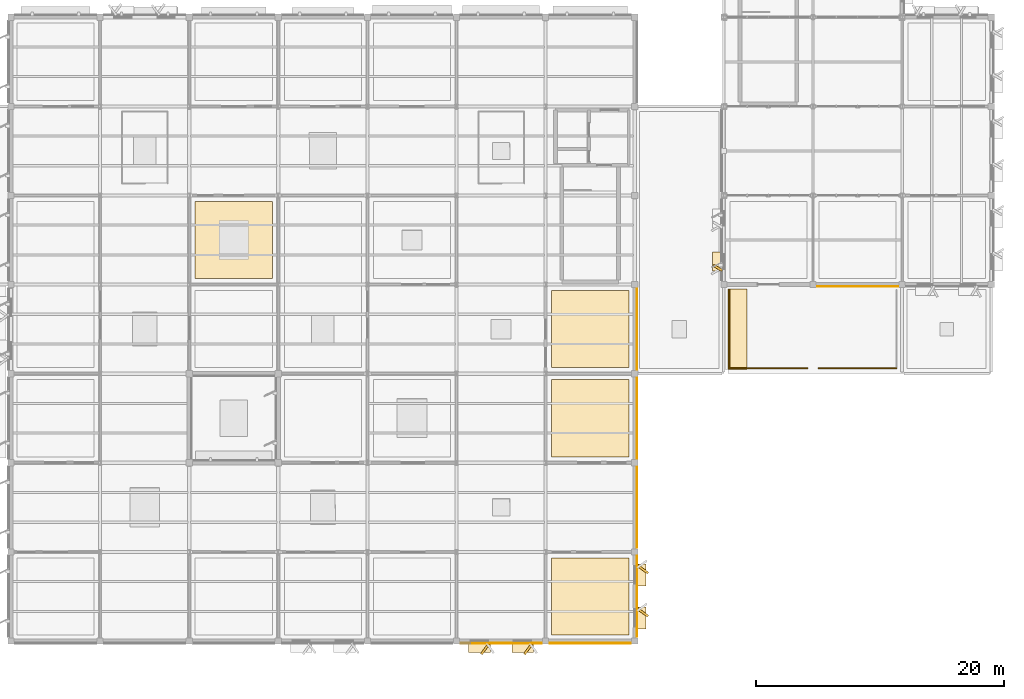
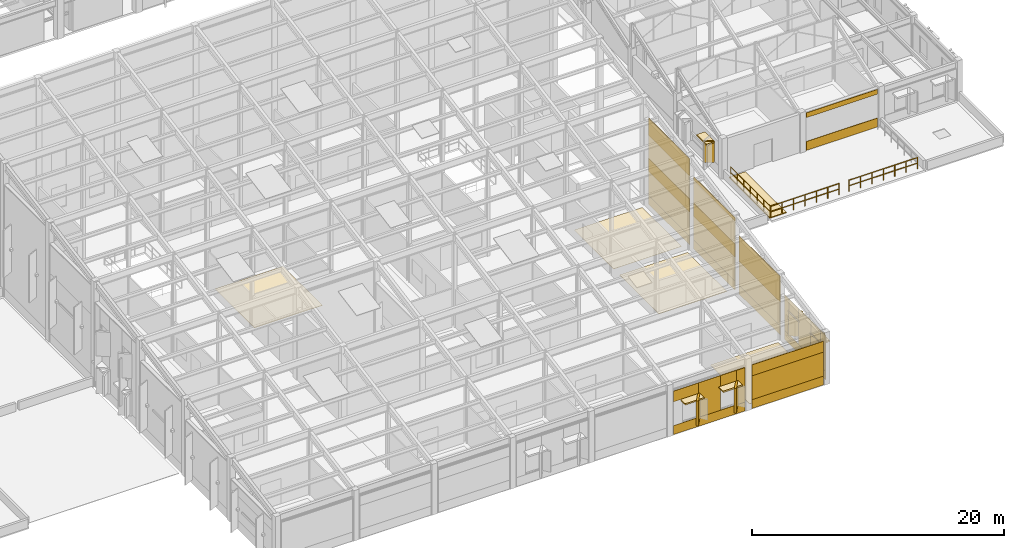
# One storey, part 74 of 82: 40 coverings, 3 railings.
"""IFC4 building model written with IfcOpenShell, lengths in metres."""

from ifc_helpers import new_model, si_unit, direction, frame, frame_2d, origin, origin_2d, place, context, subcontext, project, spatial, polyline, rectangle, circle, outline, extrude, material, layer, layer_set, type_object, element, save


model = new_model("IFC4")

# Units and contexts
model_context = context("Model", 3, precision=1e-05, world=origin(), true_north=direction((0.0, 1.0)))
body_context = subcontext(model_context, "Body", "Model", "MODEL_VIEW")
ifc_project = project(units=[si_unit("LENGTHUNIT", "METRE"), si_unit("AREAUNIT", "SQUARE_METRE"), si_unit("VOLUMEUNIT", "CUBIC_METRE"), si_unit("PLANEANGLEUNIT", "RADIAN"), si_unit("MASSUNIT", "GRAM", prefix="KILO")], contexts=[model_context])

# Site, building, storey
site_placement = place(None, origin())
site = spatial("IfcSite", under=ifc_project, at=site_placement, CompositionType="ELEMENT")
building_placement = place(site_placement, origin())
building = spatial("IfcBuilding", under=site, at=building_placement, Name="Sillqori Civic Hall", CompositionType="ELEMENT")
storey_placement = place(building_placement, frame((0.0, 0.0, 14.10009765625)))
storey = spatial("IfcBuildingStorey", under=building, at=storey_placement, Name="L04", CompositionType="ELEMENT", Elevation=14.10009765625)

# Coverings
ifc_material_1 = material(Name="Cochabamba Honed Limestone Cladding", Category="masonry")
ifc_layer_1 = layer(ifc_material_1, 0.044921875)
ifc_layer_set_1 = layer_set([ifc_layer_1], Name="Cochabamba Honed Limestone Cladding")
covering_type_1 = type_object("IfcCoveringType", Name="COV-CLAD-LIME", PredefinedType="CLADDING", material=ifc_layer_set_1)
covering_1_placement = place(storey_placement, frame((107.669921875, 7.02001953125, 0.039794921875), z_axis=(0.0, 0.0, 1.0), x_axis=(-1.0, 0.0, 0.0)))
element("IfcCovering", 1, at=covering_1_placement, inside=storey, type_object=covering_type_1, Name="L04 limestone spandrel cladding L04-14-01-S", PredefinedType="CLADDING", context=body_context, shape_type="SweptSolid", body=[
    extrude(rectangle(XDim=6.5400390625, YDim=0.044921875, at=frame_2d((3.27001953125, 0.0))), origin(), (0.0, 0.0, 1.0), 0.860107421875),
])
covering_2_placement = place(storey_placement, frame((107.669921875, 7.02001953125, 3.219970703125), z_axis=(0.0, 0.0, 1.0), x_axis=(-1.0, 0.0, 0.0)))
element("IfcCovering", 2, at=covering_2_placement, inside=storey, type_object=covering_type_1, Name="L04 limestone frieze cladding L04-14-01-S", PredefinedType="CLADDING", context=body_context, shape_type="SweptSolid", body=[
    extrude(rectangle(XDim=6.5400390625, YDim=0.044921875, at=frame_2d((3.27001953125, 0.0))), origin(), (0.0, 0.0, 1.0), 1.031982421875),
])
covering_3_placement = place(storey_placement, frame((107.669921875, 7.02001953125, 0.89990234375), z_axis=(0.0, 0.0, 1.0), x_axis=(-1.0, 0.0, 0.0)))
element("IfcCovering", 3, at=covering_3_placement, inside=storey, type_object=covering_type_1, Name="L04 Wedge Hall limestone pier cladding L04-14-01-S.1", PredefinedType="CLADDING", context=body_context, shape_type="SweptSolid", body=[
    extrude(rectangle(XDim=0.787841796875, YDim=0.044921875, at=frame_2d((0.39404296875, 0.0))), origin(), (0.0, 0.0, 1.0), 3.35205078125),
])
covering_4_placement = place(storey_placement, frame((105.402099609375, 7.02001953125, 0.89990234375), z_axis=(0.0, 0.0, 1.0), x_axis=(-1.0, 0.0, 0.0)))
element("IfcCovering", 4, at=covering_4_placement, inside=storey, type_object=covering_type_1, Name="L04 Wedge Hall limestone pier cladding L04-14-01-S.2", PredefinedType="CLADDING", context=body_context, shape_type="SweptSolid", body=[
    extrude(rectangle(XDim=2.004150390625, YDim=0.044921875, at=frame_2d((1.001953125, 0.0))), origin(), (0.0, 0.0, 1.0), 3.35205078125),
])
covering_5_placement = place(storey_placement, frame((106.9619140625, 7.06005859375, 0.829833984375), z_axis=(0.0, 0.0, 1.0), x_axis=(-0.587805596445, -0.809002213092, 0.0)))
element("IfcCovering", 5, at=covering_5_placement, inside=storey, type_object=covering_type_1, Name="Sawtooth limestone angled reveal cheek L04-14-01-S.1", PredefinedType="CLADDING", context=body_context, shape_type="SweptSolid", body=[
    extrude(rectangle(XDim=1.150146484375, YDim=0.179931640625, at=frame_2d((0.5751953125, 0.0))), origin(), (0.0, 0.0, 1.0), 2.400146484375),
])
covering_6_placement = place(storey_placement, frame((107.02197265625, 6.679931640625, 3.08984375), z_axis=(0.0, 0.0, 1.0), x_axis=(-1.0, 0.0, 0.0)))
element("IfcCovering", 6, at=covering_6_placement, inside=storey, type_object=covering_type_1, Name="Sawtooth limestone window hood L04-14-01-S.1", PredefinedType="CLADDING", context=body_context, shape_type="SweptSolid", body=[
    extrude(rectangle(XDim=1.760009765625, YDim=0.780029296875, at=frame_2d((0.8798828125, 0.0))), origin(), (0.0, 0.0, 1.0), 0.14013671875),
])
covering_7_placement = place(storey_placement, frame((103.47802734375, 7.06005859375, 0.829833984375), z_axis=(0.0, 0.0, 1.0), x_axis=(-0.587805596445, -0.809002213092, 0.0)))
element("IfcCovering", 7, at=covering_7_placement, inside=storey, type_object=covering_type_1, Name="Sawtooth limestone angled reveal cheek L04-14-01-S.2", PredefinedType="CLADDING", context=body_context, shape_type="SweptSolid", body=[
    extrude(rectangle(XDim=1.150146484375, YDim=0.179931640625, at=frame_2d((0.5751953125, 0.0))), origin(), (0.0, 0.0, 1.0), 2.400146484375),
])
covering_8_placement = place(storey_placement, frame((103.5380859375, 6.679931640625, 3.08984375), z_axis=(0.0, 0.0, 1.0), x_axis=(-1.0, 0.0, 0.0)))
element("IfcCovering", 8, at=covering_8_placement, inside=storey, type_object=covering_type_1, Name="Sawtooth limestone window hood L04-14-01-S.2", PredefinedType="CLADDING", context=body_context, shape_type="SweptSolid", body=[
    extrude(rectangle(XDim=1.760009765625, YDim=0.780029296875, at=frame_2d((0.8798828125, 0.0))), origin(), (0.0, 0.0, 1.0), 0.14013671875),
])
covering_9_placement = place(storey_placement, frame((114.8701171875, 7.02001953125, 0.039794921875), z_axis=(0.0, 0.0, 1.0), x_axis=(-1.0, 0.0, 0.0)))
element("IfcCovering", 9, at=covering_9_placement, inside=storey, type_object=covering_type_1, Name="L04 limestone spandrel cladding L04-15-01-S", PredefinedType="CLADDING", context=body_context, shape_type="SweptSolid", body=[
    extrude(rectangle(XDim=6.5400390625, YDim=0.044921875, at=frame_2d((3.27001953125, 0.0))), origin(), (0.0, 0.0, 1.0), 0.860107421875),
])
covering_10_placement = place(storey_placement, frame((114.8701171875, 7.02001953125, 3.219970703125), z_axis=(0.0, 0.0, 1.0), x_axis=(-1.0, 0.0, 0.0)))
element("IfcCovering", 10, at=covering_10_placement, inside=storey, type_object=covering_type_1, Name="L04 limestone frieze cladding L04-15-01-S", PredefinedType="CLADDING", context=body_context, shape_type="SweptSolid", body=[
    extrude(rectangle(XDim=6.5400390625, YDim=0.044921875, at=frame_2d((3.27001953125, 0.0))), origin(), (0.0, 0.0, 1.0), 1.060546875),
])
covering_11_placement = place(storey_placement, frame((114.8701171875, 7.02001953125, 0.89990234375), z_axis=(0.0, 0.0, 1.0), x_axis=(-1.0, 0.0, 0.0)))
element("IfcCovering", 11, at=covering_11_placement, inside=storey, type_object=covering_type_1, Name="L04 Wedge Hall limestone pier cladding L04-15-01-S.1", PredefinedType="CLADDING", context=body_context, shape_type="SweptSolid", body=[
    extrude(rectangle(XDim=6.5400390625, YDim=0.044921875, at=frame_2d((3.27001953125, 0.0))), origin(), (0.0, 0.0, 1.0), 3.380615234375),
])
covering_12_placement = place(storey_placement, frame((115.3798828125, 14.070068359375, 0.039794921875), z_axis=(0.0, 0.0, 1.0), x_axis=(0.0, -1.0, 0.0)))
element("IfcCovering", 12, at=covering_12_placement, inside=storey, type_object=covering_type_1, Name="L04 limestone spandrel cladding L04-15-01-E", PredefinedType="CLADDING", context=body_context, shape_type="SweptSolid", body=[
    extrude(rectangle(XDim=6.5400390625, YDim=0.044921875, at=frame_2d((3.27001953125, 0.0))), origin(), (0.0, 0.0, 1.0), 0.860107421875),
])
covering_13_placement = place(storey_placement, frame((115.3798828125, 14.070068359375, 3.219970703125), z_axis=(0.0, 0.0, 1.0), x_axis=(0.0, -1.0, 0.0)))
element("IfcCovering", 13, at=covering_13_placement, inside=storey, type_object=covering_type_1, Name="L04 limestone frieze cladding L04-15-01-E", PredefinedType="CLADDING", context=body_context, shape_type="SweptSolid", body=[
    extrude(rectangle(XDim=6.5400390625, YDim=0.044921875, at=frame_2d((3.27001953125, 0.0))), origin(), (0.0, 0.0, 1.0), 1.13330078125),
])
covering_14_placement = place(storey_placement, frame((115.3798828125, 14.070068359375, 0.89990234375), z_axis=(0.0, 0.0, 1.0), x_axis=(0.0, -1.0, 0.0)))
element("IfcCovering", 14, at=covering_14_placement, inside=storey, type_object=covering_type_1, Name="L04 Wedge Hall limestone pier cladding L04-15-01-E.1", PredefinedType="CLADDING", context=body_context, shape_type="SweptSolid", body=[
    extrude(rectangle(XDim=0.7880859375, YDim=0.044921875, at=frame_2d((0.39404296875, 0.0))), origin(), (0.0, 0.0, 1.0), 3.453369140625),
])
covering_15_placement = place(storey_placement, frame((115.3798828125, 11.802001953125, 0.89990234375), z_axis=(0.0, 0.0, 1.0), x_axis=(0.0, -1.0, 0.0)))
element("IfcCovering", 15, at=covering_15_placement, inside=storey, type_object=covering_type_1, Name="L04 Wedge Hall limestone pier cladding L04-15-01-E.2", PredefinedType="CLADDING", context=body_context, shape_type="SweptSolid", body=[
    extrude(rectangle(XDim=2.00390625, YDim=0.044921875, at=frame_2d((1.001953125, 0.0))), origin(), (0.0, 0.0, 1.0), 3.453369140625),
])
covering_16_placement = place(storey_placement, frame((115.3798828125, 8.318115234375, 0.89990234375), z_axis=(0.0, 0.0, 1.0), x_axis=(0.0, -1.0, 0.0)))
element("IfcCovering", 16, at=covering_16_placement, inside=storey, type_object=covering_type_1, Name="L04 Wedge Hall limestone pier cladding L04-15-01-E.3", PredefinedType="CLADDING", context=body_context, shape_type="SweptSolid", body=[
    extrude(rectangle(XDim=0.7880859375, YDim=0.044921875, at=frame_2d((0.39404296875, 0.0))), origin(), (0.0, 0.0, 1.0), 3.453369140625),
])
covering_17_placement = place(storey_placement, frame((115.340087890625, 13.362060546875, 0.829833984375), z_axis=(0.0, 0.0, 1.0), x_axis=(0.809002213092, -0.587805596445, 0.0)))
element("IfcCovering", 17, at=covering_17_placement, inside=storey, type_object=covering_type_1, Name="Sawtooth limestone angled reveal cheek L04-15-01-E.1", PredefinedType="CLADDING", context=body_context, shape_type="SweptSolid", body=[
    extrude(rectangle(XDim=1.150146484375, YDim=0.179931640625, at=frame_2d((0.5751953125, 0.0))), origin(), (0.0, 0.0, 1.0), 2.400146484375),
])
covering_18_placement = place(storey_placement, frame((115.719970703125, 13.422119140625, 3.08984375), z_axis=(0.0, 0.0, 1.0), x_axis=(0.0, -1.0, 0.0)))
element("IfcCovering", 18, at=covering_18_placement, inside=storey, type_object=covering_type_1, Name="Sawtooth limestone window hood L04-15-01-E.1", PredefinedType="CLADDING", context=body_context, shape_type="SweptSolid", body=[
    extrude(rectangle(XDim=1.760009765625, YDim=0.780029296875, at=frame_2d((0.8798828125, 0.0))), origin(), (0.0, 0.0, 1.0), 0.14013671875),
])
covering_19_placement = place(storey_placement, frame((115.340087890625, 9.8779296875, 0.829833984375), z_axis=(0.0, 0.0, 1.0), x_axis=(0.809002213092, -0.587805596445, 0.0)))
element("IfcCovering", 19, at=covering_19_placement, inside=storey, type_object=covering_type_1, Name="Sawtooth limestone angled reveal cheek L04-15-01-E.2", PredefinedType="CLADDING", context=body_context, shape_type="SweptSolid", body=[
    extrude(rectangle(XDim=1.150146484375, YDim=0.179931640625, at=frame_2d((0.5751953125, 0.0))), origin(), (0.0, 0.0, 1.0), 2.400146484375),
])
covering_20_placement = place(storey_placement, frame((115.719970703125, 9.93798828125, 3.08984375), z_axis=(0.0, 0.0, 1.0), x_axis=(0.0, -1.0, 0.0)))
element("IfcCovering", 20, at=covering_20_placement, inside=storey, type_object=covering_type_1, Name="Sawtooth limestone window hood L04-15-01-E.2", PredefinedType="CLADDING", context=body_context, shape_type="SweptSolid", body=[
    extrude(rectangle(XDim=1.760009765625, YDim=0.780029296875, at=frame_2d((0.8798828125, 0.0))), origin(), (0.0, 0.0, 1.0), 0.14013671875),
])
covering_21_placement = place(storey_placement, frame((115.3798828125, 21.27001953125, 0.039794921875), z_axis=(0.0, 0.0, 1.0), x_axis=(0.0, -1.0, 0.0)))
element("IfcCovering", 21, at=covering_21_placement, inside=storey, type_object=covering_type_1, Name="L04 limestone spandrel cladding L04-15-02-E", PredefinedType="CLADDING", context=body_context, shape_type="SweptSolid", body=[
    extrude(rectangle(XDim=6.5400390625, YDim=0.044921875, at=frame_2d((3.27001953125, 0.0))), origin(), (0.0, 0.0, 1.0), 0.860107421875),
])
covering_22_placement = place(storey_placement, frame((115.3798828125, 21.27001953125, 3.219970703125), z_axis=(0.0, 0.0, 1.0), x_axis=(0.0, -1.0, 0.0)))
element("IfcCovering", 22, at=covering_22_placement, inside=storey, type_object=covering_type_1, Name="L04 limestone frieze cladding L04-15-02-E", PredefinedType="CLADDING", context=body_context, shape_type="SweptSolid", body=[
    extrude(rectangle(XDim=6.5400390625, YDim=0.044921875, at=frame_2d((3.27001953125, 0.0))), origin(), (0.0, 0.0, 1.0), 2.47607421875),
])
covering_23_placement = place(storey_placement, frame((115.3798828125, 21.27001953125, 0.89990234375), z_axis=(0.0, 0.0, 1.0), x_axis=(0.0, -1.0, 0.0)))
element("IfcCovering", 23, at=covering_23_placement, inside=storey, type_object=covering_type_1, Name="L04 Wedge Hall limestone pier cladding L04-15-02-E.1", PredefinedType="CLADDING", context=body_context, shape_type="SweptSolid", body=[
    extrude(rectangle(XDim=6.5400390625, YDim=0.044921875, at=frame_2d((3.27001953125, 0.0))), origin(), (0.0, 0.0, 1.0), 4.796142578125),
])
covering_24_placement = place(storey_placement, frame((115.3798828125, 28.469970703125, 0.039794921875), z_axis=(0.0, 0.0, 1.0), x_axis=(0.0, -1.0, 0.0)))
element("IfcCovering", 24, at=covering_24_placement, inside=storey, type_object=covering_type_1, Name="L04 limestone spandrel cladding L04-15-03-E", PredefinedType="CLADDING", context=body_context, shape_type="SweptSolid", body=[
    extrude(rectangle(XDim=6.5400390625, YDim=0.044921875, at=frame_2d((3.27001953125, 0.0))), origin(), (0.0, 0.0, 1.0), 0.860107421875),
])
covering_25_placement = place(storey_placement, frame((115.3798828125, 28.469970703125, 3.219970703125), z_axis=(0.0, 0.0, 1.0), x_axis=(0.0, -1.0, 0.0)))
element("IfcCovering", 25, at=covering_25_placement, inside=storey, type_object=covering_type_1, Name="L04 limestone mid-spandrel cladding L04-15-03-E", PredefinedType="CLADDING", context=body_context, shape_type="SweptSolid", body=[
    extrude(rectangle(XDim=6.5400390625, YDim=0.044921875, at=frame_2d((3.27001953125, 0.0))), origin(), (0.0, 0.0, 1.0), 1.260009765625),
])
covering_26_placement = place(storey_placement, frame((115.3798828125, 28.469970703125, 6.719970703125), z_axis=(0.0, 0.0, 1.0), x_axis=(0.0, -1.0, 0.0)))
element("IfcCovering", 26, at=covering_26_placement, inside=storey, type_object=covering_type_1, Name="L04 limestone frieze cladding L04-15-03-E", PredefinedType="CLADDING", context=body_context, shape_type="SweptSolid", body=[
    extrude(rectangle(XDim=6.5400390625, YDim=0.044921875, at=frame_2d((3.27001953125, 0.0))), origin(), (0.0, 0.0, 1.0), 0.319091796875),
])
covering_27_placement = place(storey_placement, frame((115.3798828125, 28.469970703125, 0.89990234375), z_axis=(0.0, 0.0, 1.0), x_axis=(0.0, -1.0, 0.0)))
element("IfcCovering", 27, at=covering_27_placement, inside=storey, type_object=covering_type_1, Name="L04 Wedge Hall limestone pier cladding L04-15-03-E.1", PredefinedType="CLADDING", context=body_context, shape_type="SweptSolid", body=[
    extrude(rectangle(XDim=6.5400390625, YDim=0.044921875, at=frame_2d((3.27001953125, 0.0))), origin(), (0.0, 0.0, 1.0), 6.13916015625),
])
covering_28_placement = place(storey_placement, frame((115.3798828125, 35.669921875, 0.039794921875), z_axis=(0.0, 0.0, 1.0), x_axis=(0.0, -1.0, 0.0)))
element("IfcCovering", 28, at=covering_28_placement, inside=storey, type_object=covering_type_1, Name="L04 limestone spandrel cladding L04-15-04-E", PredefinedType="CLADDING", context=body_context, shape_type="SweptSolid", body=[
    extrude(rectangle(XDim=6.5400390625, YDim=0.044921875, at=frame_2d((3.27001953125, 0.0))), origin(), (0.0, 0.0, 1.0), 0.860107421875),
])
covering_29_placement = place(storey_placement, frame((115.3798828125, 35.669921875, 3.219970703125), z_axis=(0.0, 0.0, 1.0), x_axis=(0.0, -1.0, 0.0)))
element("IfcCovering", 29, at=covering_29_placement, inside=storey, type_object=covering_type_1, Name="L04 limestone mid-spandrel cladding L04-15-04-E", PredefinedType="CLADDING", context=body_context, shape_type="SweptSolid", body=[
    extrude(rectangle(XDim=6.5400390625, YDim=0.044921875, at=frame_2d((3.27001953125, 0.0))), origin(), (0.0, 0.0, 1.0), 1.260009765625),
])
covering_30_placement = place(storey_placement, frame((115.3798828125, 35.669921875, 6.719970703125), z_axis=(0.0, 0.0, 1.0), x_axis=(0.0, -1.0, 0.0)))
element("IfcCovering", 30, at=covering_30_placement, inside=storey, type_object=covering_type_1, Name="L04 limestone frieze cladding L04-15-04-E", PredefinedType="CLADDING", context=body_context, shape_type="SweptSolid", body=[
    extrude(rectangle(XDim=6.5400390625, YDim=0.044921875, at=frame_2d((3.27001953125, 0.0))), origin(), (0.0, 0.0, 1.0), 1.661865234375),
])
covering_31_placement = place(storey_placement, frame((115.3798828125, 35.669921875, 0.89990234375), z_axis=(0.0, 0.0, 1.0), x_axis=(0.0, -1.0, 0.0)))
element("IfcCovering", 31, at=covering_31_placement, inside=storey, type_object=covering_type_1, Name="L04 Wedge Hall limestone pier cladding L04-15-04-E.1", PredefinedType="CLADDING", context=body_context, shape_type="SweptSolid", body=[
    extrude(rectangle(XDim=6.5400390625, YDim=0.044921875, at=frame_2d((3.27001953125, 0.0))), origin(), (0.0, 0.0, 1.0), 7.48193359375),
])
covering_32_placement = place(storey_placement, frame((122.27001953125, 37.137939453125, 0.829833984375), z_axis=(0.0, 0.0, 1.0), x_axis=(-0.865989465428, 0.500062241894, 0.0)))
element("IfcCovering", 32, at=covering_32_placement, inside=storey, type_object=covering_type_1, Name="Sawtooth limestone angled reveal cheek L04-17-05-W.1", PredefinedType="CLADDING", context=body_context, shape_type="SweptSolid", body=[
    extrude(rectangle(XDim=0.85009765625, YDim=0.179931640625, at=frame_2d((0.425048828125, 0.0))), origin(), (0.0, 0.0, 1.0), 2.0),
])
covering_33_placement = place(storey_placement, frame((121.889892578125, 37.077880859375, 2.68994140625), z_axis=(0.0, 0.0, 1.0), x_axis=(0.0, 1.0, 0.0)))
element("IfcCovering", 33, at=covering_33_placement, inside=storey, type_object=covering_type_1, Name="Sawtooth limestone window hood L04-17-05-W.1", PredefinedType="CLADDING", context=body_context, shape_type="SweptSolid", body=[
    extrude(rectangle(XDim=1.56005859375, YDim=0.780029296875, at=frame_2d((0.780029296875, 0.0))), origin(), (0.0, 0.0, 1.0), 0.139892578125),
])
covering_34_placement = place(storey_placement, frame((136.469970703125, 35.830078125, 0.039794921875), z_axis=(0.0, 0.0, 1.0), x_axis=(-1.0, 0.0, 0.0)))
element("IfcCovering", 34, at=covering_34_placement, inside=storey, type_object=covering_type_1, Name="L04 limestone spandrel cladding L04-18-05-S", PredefinedType="CLADDING", context=body_context, shape_type="SweptSolid", body=[
    extrude(rectangle(XDim=6.5400390625, YDim=0.044921875, at=frame_2d((3.27001953125, 0.0))), origin(), (0.0, 0.0, 1.0), 0.860107421875),
])
covering_35_placement = place(storey_placement, frame((136.469970703125, 35.830078125, 3.219970703125), z_axis=(0.0, 0.0, 1.0), x_axis=(-1.0, 0.0, 0.0)))
element("IfcCovering", 35, at=covering_35_placement, inside=storey, type_object=covering_type_1, Name="L04 limestone frieze cladding L04-18-05-S", PredefinedType="CLADDING", context=body_context, shape_type="SweptSolid", body=[
    extrude(rectangle(XDim=6.5400390625, YDim=0.044921875, at=frame_2d((3.27001953125, 0.0))), origin(), (0.0, 0.0, 1.0), 0.4599609375),
])
ifc_material_2 = material(Name="Vitrified Porcelain Tile 18", Category="ceramic")
ifc_layer_2 = layer(ifc_material_2, 0.01806640625)
ifc_layer_set_2 = layer_set([ifc_layer_2], Name="Vitrified Porcelain Tile 18")
covering_type_2 = type_object("IfcCoveringType", Name="COV-FLR-P18", PredefinedType="FLOORING", material=ifc_layer_set_2)
covering_36_placement = place(storey_placement, origin())
element("IfcCovering", 36, at=covering_36_placement, inside=storey, type_object=covering_type_2, Name="Citizen Innovation and Open-Data Studio L04-19 floor finish", PredefinedType="FLOORING", context=body_context, shape_type="SweptSolid", body=[
    extrude(outline(polyline([(108.47998046875, 29.280029296875), (114.719970703125, 29.280029296875), (114.719970703125, 35.52001953125), (108.47998046875, 35.52001953125), (108.47998046875, 29.280029296875)])), origin(), (0.0, 0.0, 1.0), 0.017822265625),
])
ifc_material_3 = material(Name="Tajibo Parquet Strip Flooring 22", Category="timber")
ifc_layer_3 = layer(ifc_material_3, 0.02197265625)
ifc_layer_set_3 = layer_set([ifc_layer_3], Name="Tajibo Parquet Strip Flooring 22")
covering_type_3 = type_object("IfcCoveringType", Name="COV-FLR-T22", PredefinedType="FLOORING", material=ifc_layer_set_3)
covering_37_placement = place(storey_placement, origin())
element("IfcCovering", 37, at=covering_37_placement, inside=storey, type_object=covering_type_3, Name="Wedge Sky-Lit Public Exhibition Hall L04-17 floor finish", PredefinedType="FLOORING", context=body_context, shape_type="SweptSolid", body=[
    extrude(outline(polyline([(108.47998046875, 7.679931640625), (114.719970703125, 7.679931640625), (114.719970703125, 13.919921875), (108.47998046875, 13.919921875), (108.47998046875, 7.679931640625)])), origin(), (0.0, 0.0, 1.0), 0.02197265625),
])
ifc_material_4 = material(Name="Acoustic Sprung Timber Flooring 30", Category="wood")
ifc_layer_4 = layer(ifc_material_4, 0.030029296875)
ifc_layer_set_4 = layer_set([ifc_layer_4], Name="Acoustic Sprung Timber Flooring 30")
covering_type_4 = type_object("IfcCoveringType", Name="COV-FLR-T30", PredefinedType="FLOORING", material=ifc_layer_set_4)
covering_38_placement = place(storey_placement, origin())
element("IfcCovering", 38, at=covering_38_placement, inside=storey, type_object=covering_type_4, Name="Citizen Innovation and Open-Data Studio L04-07 floor finish", PredefinedType="FLOORING", context=body_context, shape_type="SweptSolid", body=[
    extrude(outline(polyline([(79.679931640625, 36.47998046875), (85.919921875, 36.47998046875), (85.919921875, 42.719970703125), (79.679931640625, 42.719970703125), (79.679931640625, 36.47998046875)])), origin(), (0.0, 0.0, 1.0), 0.02978515625),
])
covering_39_placement = place(storey_placement, origin())
element("IfcCovering", 39, at=covering_39_placement, inside=storey, type_object=covering_type_4, Name="Metropolitan Regional Assembly Forum L04-18 floor finish", PredefinedType="FLOORING", context=body_context, shape_type="SweptSolid", body=[
    extrude(outline(polyline([(108.47998046875, 22.080078125), (114.719970703125, 22.080078125), (114.719970703125, 28.320068359375), (108.47998046875, 28.320068359375), (108.47998046875, 22.080078125)])), origin(), (0.0, 0.0, 1.0), 0.02978515625),
])
ifc_material_5 = material(Name="Extensive Andean Sedum Roof Substrate", Category="earth")
ifc_layer_5 = layer(ifc_material_5, 0.080078125)
ifc_layer_set_5 = layer_set([ifc_layer_5], Name="Extensive Andean Sedum Roof Substrate")
covering_type_5 = type_object("IfcCoveringType", Name="COV-ROOF-GRN", PredefinedType="ROOFING", material=ifc_layer_set_5)
covering_40_placement = place(storey_placement, origin())
element("IfcCovering", 40, at=covering_40_placement, inside=storey, type_object=covering_type_5, Name="Archive Clerestory Terrace planted planter bed", PredefinedType="ROOFING", context=body_context, shape_type="SweptSolid", body=[
    extrude(outline(polyline([(122.75, 29.14990234375), (124.25, 29.14990234375), (124.25, 35.64990234375), (122.75, 35.64990234375), (122.75, 29.14990234375)])), origin(), (0.0, 0.0, 1.0), 0.079833984375),
])

# Railings
ifc_material_6 = material(Name="Stainless Steel 316 and Laminated Balustrade", Category="steel")
ifc_layer_6 = layer(ifc_material_6, 0.06005859375)
ifc_layer_set_6 = layer_set([ifc_layer_6], Name="Stainless Steel 316 and Laminated Balustrade")
railing_type = type_object("IfcRailingType", Name="RLG-TERR-112", PredefinedType="GUARDRAIL", material=ifc_layer_set_6)
railing_1_placement = place(storey_placement, frame((122.840087890625, 29.239990234375, 0.0)))
element("IfcRailing", 41, at=railing_1_placement, inside=storey, type_object=railing_type, Name="Archive Clerestory Terrace perimeter guard S-01", PredefinedType="GUARDRAIL", context=body_context, shape_type="SweptSolid", body=[
    extrude(circle(Radius=0.02392578125, at=origin_2d()), frame((0.0, 0.0, 1.09619140625), z_axis=(1.0, 0.0, 0.0), x_axis=(0.0, 1.0, 0.0)), (0.0, 0.0, 1.0), 6.31982421875),
    extrude(circle(Radius=0.02392578125, at=origin_2d()), frame((0.0, 0.0, 0.56005859375), z_axis=(1.0, 0.0, 0.0), x_axis=(0.0, 1.0, 0.0)), (0.0, 0.0, 1.0), 6.31982421875),
    extrude(circle(Radius=0.02099609375, at=origin_2d()), origin(), (0.0, 0.0, 1.0), 1.072021484375),
    extrude(circle(Radius=0.02099609375, at=origin_2d()), frame((1.05322265625, 0.0, 0.0)), (0.0, 0.0, 1.0), 1.072021484375),
    extrude(circle(Radius=0.02099609375, at=origin_2d()), frame((2.106689453125, 0.0, 0.0)), (0.0, 0.0, 1.0), 1.072021484375),
    extrude(circle(Radius=0.02099609375, at=origin_2d()), frame((3.159912109375, 0.0, 0.0)), (0.0, 0.0, 1.0), 1.072021484375),
    extrude(circle(Radius=0.02099609375, at=origin_2d()), frame((4.213134765625, 0.0, 0.0)), (0.0, 0.0, 1.0), 1.072021484375),
    extrude(circle(Radius=0.02099609375, at=origin_2d()), frame((5.2666015625, 0.0, 0.0)), (0.0, 0.0, 1.0), 1.072021484375),
    extrude(circle(Radius=0.02099609375, at=origin_2d()), frame((6.31982421875, 0.0, 0.0)), (0.0, 0.0, 1.0), 1.072021484375),
])
railing_2_placement = place(storey_placement, frame((130.0400390625, 29.239990234375, 0.0)))
element("IfcRailing", 42, at=railing_2_placement, inside=storey, type_object=railing_type, Name="Archive Clerestory Terrace perimeter guard S-02", PredefinedType="GUARDRAIL", context=body_context, shape_type="SweptSolid", body=[
    extrude(circle(Radius=0.02392578125, at=origin_2d()), frame((0.0, 0.0, 1.09619140625), z_axis=(1.0, 0.0, 0.0), x_axis=(0.0, 1.0, 0.0)), (0.0, 0.0, 1.0), 6.320068359375),
    extrude(circle(Radius=0.02392578125, at=origin_2d()), frame((0.0, 0.0, 0.56005859375), z_axis=(1.0, 0.0, 0.0), x_axis=(0.0, 1.0, 0.0)), (0.0, 0.0, 1.0), 6.320068359375),
    extrude(circle(Radius=0.02099609375, at=origin_2d()), origin(), (0.0, 0.0, 1.0), 1.072021484375),
    extrude(circle(Radius=0.02099609375, at=origin_2d()), frame((1.05322265625, 0.0, 0.0)), (0.0, 0.0, 1.0), 1.072021484375),
    extrude(circle(Radius=0.02099609375, at=origin_2d()), frame((2.106689453125, 0.0, 0.0)), (0.0, 0.0, 1.0), 1.072021484375),
    extrude(circle(Radius=0.02099609375, at=origin_2d()), frame((3.16015625, 0.0, 0.0)), (0.0, 0.0, 1.0), 1.072021484375),
    extrude(circle(Radius=0.02099609375, at=origin_2d()), frame((4.21337890625, 0.0, 0.0)), (0.0, 0.0, 1.0), 1.072021484375),
    extrude(circle(Radius=0.02099609375, at=origin_2d()), frame((5.2666015625, 0.0, 0.0)), (0.0, 0.0, 1.0), 1.072021484375),
    extrude(circle(Radius=0.02099609375, at=origin_2d()), frame((6.320068359375, 0.0, 0.0)), (0.0, 0.0, 1.0), 1.072021484375),
])
railing_3_placement = place(storey_placement, frame((122.840087890625, 29.239990234375, 0.0)))
element("IfcRailing", 43, at=railing_3_placement, inside=storey, type_object=railing_type, Name="Archive Clerestory Terrace perimeter guard W-03", PredefinedType="GUARDRAIL", context=body_context, shape_type="SweptSolid", body=[
    extrude(circle(Radius=0.02392578125, at=origin_2d()), frame((0.0, 0.0, 1.09619140625), z_axis=(0.0, 1.0, 0.0), x_axis=(-1.0, 0.0, 0.0)), (0.0, 0.0, 1.0), 6.320068359375),
    extrude(circle(Radius=0.02392578125, at=origin_2d()), frame((0.0, 0.0, 0.56005859375), z_axis=(0.0, 1.0, 0.0), x_axis=(-1.0, 0.0, 0.0)), (0.0, 0.0, 1.0), 6.320068359375),
    extrude(circle(Radius=0.02099609375, at=origin_2d()), origin(), (0.0, 0.0, 1.0), 1.072021484375),
    extrude(circle(Radius=0.02099609375, at=origin_2d()), frame((0.0, 1.05322265625, 0.0)), (0.0, 0.0, 1.0), 1.072021484375),
    extrude(circle(Radius=0.02099609375, at=origin_2d()), frame((0.0, 2.106689453125, 0.0)), (0.0, 0.0, 1.0), 1.072021484375),
    extrude(circle(Radius=0.02099609375, at=origin_2d()), frame((0.0, 3.16015625, 0.0)), (0.0, 0.0, 1.0), 1.072021484375),
    extrude(circle(Radius=0.02099609375, at=origin_2d()), frame((0.0, 4.21337890625, 0.0)), (0.0, 0.0, 1.0), 1.072021484375),
    extrude(circle(Radius=0.02099609375, at=origin_2d()), frame((0.0, 5.2666015625, 0.0)), (0.0, 0.0, 1.0), 1.072021484375),
    extrude(circle(Radius=0.02099609375, at=origin_2d()), frame((0.0, 6.320068359375, 0.0)), (0.0, 0.0, 1.0), 1.072021484375),
])

save(model, "model.ifc")
